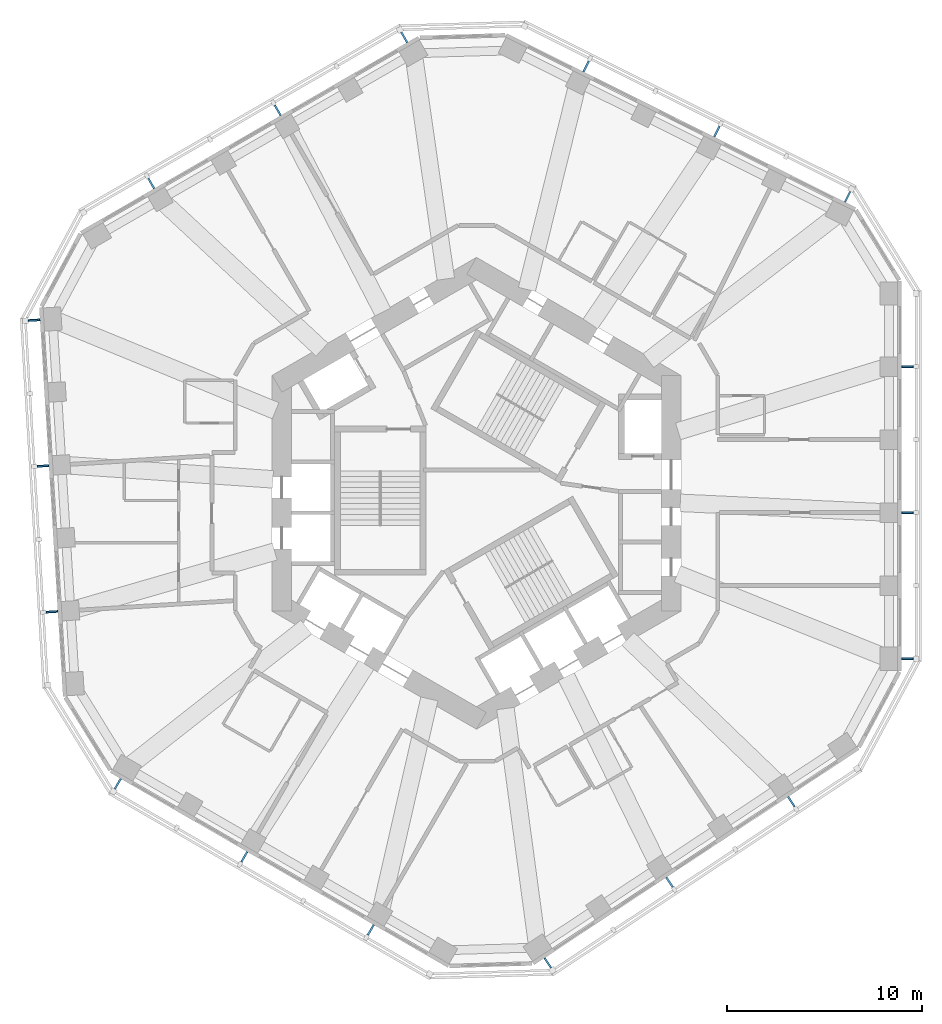
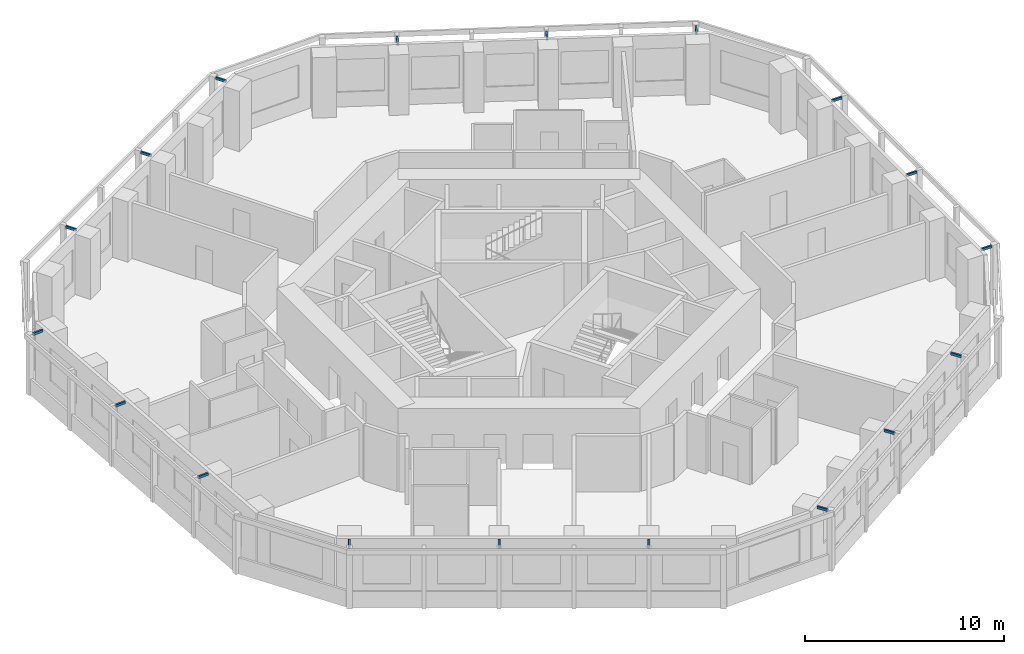
# One storey, part 10 of 11: 18 discrete accessories.
"""IFC4 building model written with IfcOpenShell, lengths in metres."""

from ifc_helpers import new_model, si_unit, direction, frame, origin, origin_2d, place, context, subcontext, project, spatial, rectangle, extrude, material, type_object, element, save


model = new_model("IFC4")

# Units and contexts
model_context = context("Model", 3, precision=1e-05, world=origin(), true_north=direction((0.0, 1.0)))
body_context = subcontext(model_context, "Body", "Model", "MODEL_VIEW")
ifc_project = project(units=[si_unit("LENGTHUNIT", "METRE"), si_unit("AREAUNIT", "SQUARE_METRE"), si_unit("VOLUMEUNIT", "CUBIC_METRE"), si_unit("PLANEANGLEUNIT", "RADIAN"), si_unit("MASSUNIT", "GRAM", prefix="KILO")], contexts=[model_context])

# Site, building, storey
site_placement = place(None, origin())
site = spatial("IfcSite", under=ifc_project, at=site_placement, CompositionType="ELEMENT")
building_placement = place(site_placement, origin())
building = spatial("IfcBuilding", under=site, at=building_placement, Name="Vanh Sen Convention Tower", CompositionType="ELEMENT")
storey_placement = place(building_placement, frame((0.0, 0.0, 172.5)))
storey = spatial("IfcBuildingStorey", under=building, at=storey_placement, Name="L42", CompositionType="ELEMENT", Elevation=172.5)

# Discrete accessories
ifc_material = material(Name="Steel S355", Category="steel")
discrete_accessory_type = type_object("IfcDiscreteAccessoryType", Name="Fin bracket 100 x 150", PredefinedType="BRACKET", material=ifc_material)
for number, where, z_axis, x_axis, name in (
    (1, (22.14990234375, -8.5009765625, 3.5), (0.0, 0.0, 1.0), (1.0, 0.0, 0.0), "Fin bracket E-1 L42"),
    (2, (22.14990234375, -0.992919921875, 3.5), (0.0, 0.0, 1.0), (1.0, 0.0, 0.0), "Fin bracket E-3 L42"),
    (3, (22.14990234375, 6.515380859375, 3.5), (0.0, 0.0, 1.0), (1.0, 0.0, 0.0), "Fin bracket E-5 L42"),
    (4, (19.073974609375, 15.240478515625, 3.5), (0.0, 0.0, 1.0), (0.44619781311, 0.894934361602, 0.0), "Fin bracket NE-1 L42"),
    (5, (12.3544921875, 18.5908203125, 3.5), (0.0, 0.0, 1.0), (0.44619781311, 0.894934361602, 0.0), "Fin bracket NE-3 L42"),
    (6, (5.635009765625, 21.94091796875, 3.5), (0.0, 0.0, 1.0), (0.44619781311, 0.894934361602, 0.0), "Fin bracket NE-5 L42"),
    (7, (-3.712890625, 23.432861328125, 3.5), (0.0, 0.0, 1.0), (-0.5, 0.866025403784, 0.0), "Fin bracket NW-1 L42"),
    (8, (-10.215087890625, 19.6787109375, 3.5), (0.0, 0.0, 1.0), (-0.5, 0.866025403784, 0.0), "Fin bracket NW-3 L42"),
    (9, (-16.717529296875, 15.9248046875, 3.5), (0.0, 0.0, 1.0), (-0.5, 0.866025403784, 0.0), "Fin bracket NW-5 L42"),
    (10, (-22.735595703125, 8.898193359375, 3.5), (0.0, 0.0, 1.0), (-0.998134798422, -0.061048539535, 0.0), "Fin bracket W-1 L42"),
    (11, (-22.277099609375, 1.40380859375, 3.5), (0.0, 0.0, 1.0), (-0.998134798422, -0.061048539535, 0.0), "Fin bracket W-3 L42"),
    (12, (-21.81884765625, -6.09033203125, 3.5), (0.0, 0.0, 1.0), (-0.998134798422, -0.061048539535, 0.0), "Fin bracket W-5 L42"),
    (13, (-18.43701171875, -14.931884765625, 3.5), (0.0, 0.0, 1.0), (-0.5, -0.866025403784, 0.0), "Fin bracket SW-1 L42"),
    (14, (-11.934814453125, -18.68603515625, 3.5), (0.0, 0.0, 1.0), (-0.5, -0.866025403784, 0.0), "Fin bracket SW-3 L42"),
    (15, (-5.4326171875, -22.440185546875, 3.5), (0.0, 0.0, 1.0), (-0.5, -0.866025403784, 0.0), "Fin bracket SW-5 L42"),
    (16, (3.66162109375, -24.138671875, 3.5), (0.0, 0.0, 1.0), (0.551936985312, -0.833885822067, 0.0), "Fin bracket SE-1 L42"),
    (17, (9.922607421875, -19.99462890625, 3.5), (0.0, 0.0, 1.0), (0.551936985312, -0.833885822067, 0.0), "Fin bracket SE-3 L42"),
    (18, (16.18359375, -15.8505859375, 3.5), (0.0, 0.0, 1.0), (0.551936985312, -0.833885822067, 0.0), "Fin bracket SE-5 L42"),
):
    element("IfcDiscreteAccessory", number, at=place(storey_placement, frame(where, z_axis=z_axis, x_axis=x_axis)), inside=storey, type_object=discrete_accessory_type, Name=name, PredefinedType="BRACKET", context=body_context, shape_type="SweptSolid", body=[
        extrude(rectangle(XDim=0.60009765625, YDim=0.10009765625, at=origin_2d()), origin(), (0.0, 0.0, 1.0), 0.14990234375),
    ])

save(model, "model.ifc")
